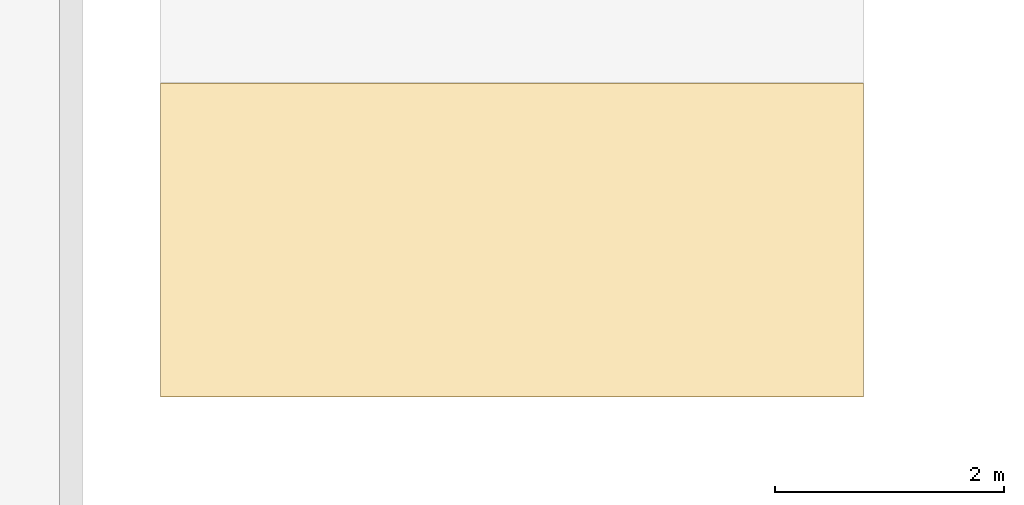
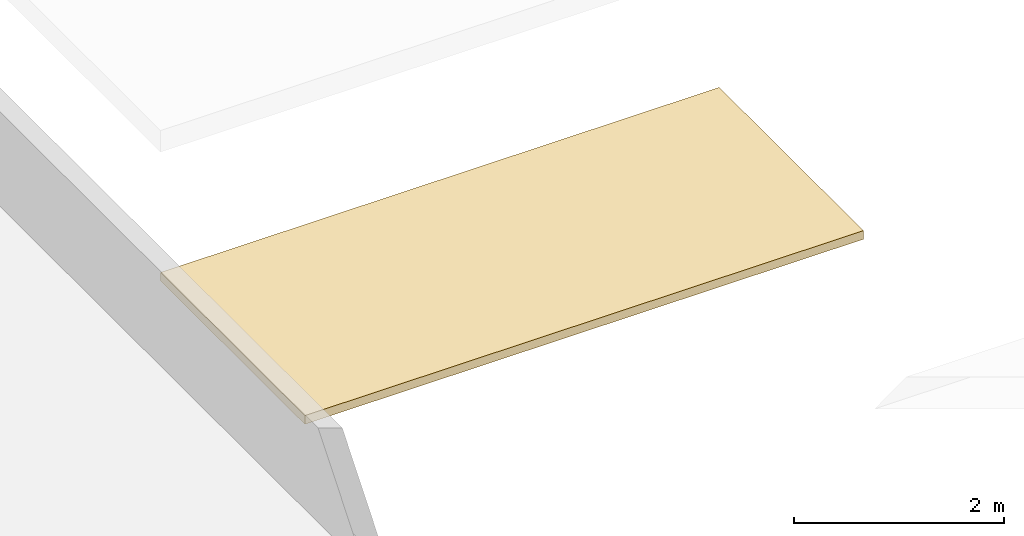
# One storey, part 2 of 2: 1 covering.
"""IFC4 building model written with IfcOpenShell, lengths in metres."""

import ifcopenshell
import ifcopenshell.guid

model = None  # the IFC model being written
_history = None  # IfcOwnerHistory: only IFC2X3 demands one
_inside = {}  # id of a spatial element -> (the spatial element, [elements in it])
_under = {}  # id of a project, library or spatial element -> (it, [spatial elements below it])
_declared = {}  # id of a project -> (the project, [libraries it declares])
_typed = {}  # id of a type object -> (the type object, [elements of that type])
_made_of = {}  # id of a material, layer set ... -> (it, [elements and type objects made of it])


def new_model(schema):
    """Start an empty IFC model of exactly this schema.

    Asked for "IFC4X3", IfcOpenShell would pick the latest addendum, in which some entities
    have other attributes; the version numbers below select the first issue.
    IFC2X3 requires an IfcOwnerHistory on every rooted entity: one is made here for all.
    """
    global model, _history
    if schema == "IFC4X3":
        model = ifcopenshell.file(schema_version=(4, 3, 0, 0))
    else:
        model = ifcopenshell.file(schema=schema)
    _inside.clear()
    _under.clear()
    _declared.clear()
    _typed.clear()
    _made_of.clear()
    _history = None
    if model.schema == "IFC2X3":
        org = make("IfcOrganization", Name="unknown")
        user = make(
            "IfcPersonAndOrganization",
            ThePerson=make("IfcPerson", FamilyName="unknown"),
            TheOrganization=org,
        )
        app = make(
            "IfcApplication",
            ApplicationDeveloper=org,
            Version="unknown",
            ApplicationFullName="unknown",
            ApplicationIdentifier="unknown",
        )
        _history = make(
            "IfcOwnerHistory",
            OwningUser=user,
            OwningApplication=app,
            ChangeAction="ADDED",
            CreationDate=0,
        )
    return model


def make(cls, **values):
    """One entity of the class cls with the attributes given. An attribute that is None is left unset."""
    return model.create_entity(
        cls, **{name: value for name, value in values.items() if value is not None}
    )


def rooted(cls, **values):
    """An entity with a GlobalId (a new one), such as an element, a storey or a relation."""
    return make(cls, GlobalId=ifcopenshell.guid.new(), OwnerHistory=_history, **values)


def si_unit(unit_type, name, prefix=None):
    """IfcSIUnit, for example si_unit("LENGTHUNIT", "METRE", prefix="MILLI")."""
    return make("IfcSIUnit", UnitType=unit_type, Prefix=prefix, Name=name)


def assignment(units):
    """IfcUnitAssignment: the units of a project."""
    return None if units is None else make("IfcUnitAssignment", Units=units)


def point(xyz):
    """IfcCartesianPoint."""
    return None if xyz is None else make("IfcCartesianPoint", Coordinates=xyz)


def direction(xyz):
    """IfcDirection."""
    return None if xyz is None else make("IfcDirection", DirectionRatios=xyz)


def frame(location, z_axis=None, x_axis=None):
    """IfcAxis2Placement3D, a coordinate frame: its origin and axes. An axis left out is left unset."""
    return make(
        "IfcAxis2Placement3D",
        Location=point(location),
        Axis=direction(z_axis),
        RefDirection=direction(x_axis),
    )


def frame_2d(location, x_axis=None):
    """IfcAxis2Placement2D, a coordinate frame in the plane: its origin and x axis."""
    return make(
        "IfcAxis2Placement2D", Location=point(location), RefDirection=direction(x_axis)
    )


def origin():
    """The frame at (0, 0, 0) with its axes left unset."""
    return frame((0.0, 0.0, 0.0))


def origin_2d():
    """The frame at (0, 0) in the plane with its x axis left unset."""
    return frame_2d((0.0, 0.0))


def place(relative_to, where):
    """IfcLocalPlacement: puts the frame where relative to a parent placement (None: the world)."""
    return make(
        "IfcLocalPlacement", PlacementRelTo=relative_to, RelativePlacement=where
    )


def context(
    kind, dimensions, precision=None, world=None, true_north=None, identifier=None
):
    """IfcGeometricRepresentationContext, for example the 3D "Model" context."""
    return make(
        "IfcGeometricRepresentationContext",
        ContextIdentifier=identifier,
        ContextType=kind,
        CoordinateSpaceDimension=dimensions,
        Precision=precision,
        WorldCoordinateSystem=world,
        TrueNorth=true_north,
    )


def subcontext(parent, identifier, kind, view, scale=None):
    """IfcGeometricRepresentationSubContext, for example "Body" below "Model"."""
    return make(
        "IfcGeometricRepresentationSubContext",
        ContextIdentifier=identifier,
        ContextType=kind,
        ParentContext=parent,
        TargetScale=scale,
        TargetView=view,
    )


def project(units=None, contexts=None):
    """IfcProject with its units and contexts."""
    return rooted(
        "IfcProject",
        Name="project",
        RepresentationContexts=contexts,
        UnitsInContext=assignment(units),
    )


def spatial(cls, under=None, at=None, **own):
    """A site, building, storey or space (cls), placed at a placement, below another one or the project."""
    s = rooted(cls, ObjectPlacement=at, **own)
    if under is not None:
        _under.setdefault(under.id(), (under, []))[1].append(s)
    return s


def profile(cls, at=None, kind="AREA", **sizes):
    """A parametric profile (cls). Its sizes go by their IFC names, for example OverallWidth=200.0."""
    return make(cls, ProfileType=kind, Position=at, **sizes)


def rectangle(**sizes):
    """IfcRectangleProfileDef."""
    return profile("IfcRectangleProfileDef", **sizes)


def extrude(swept, where, along, depth):
    """IfcExtrudedAreaSolid: the profile swept, set in the frame where, extruded along a direction by depth."""
    return make(
        "IfcExtrudedAreaSolid",
        SweptArea=swept,
        Position=where,
        ExtrudedDirection=direction(along),
        Depth=depth,
    )


def shape(context_of_items, identifier, shape_type, items):
    """IfcShapeRepresentation: the items that make up one representation, for example the "Body"."""
    return make(
        "IfcShapeRepresentation",
        ContextOfItems=context_of_items,
        RepresentationIdentifier=identifier,
        RepresentationType=shape_type,
        Items=items,
    )


def material(Name=None, Category=None):
    """IfcMaterial."""
    return make("IfcMaterial", Name=Name, Category=Category)


def layer(
    of_material, thickness, ventilated=None, Name=None, Category=None, Priority=None
):
    """IfcMaterialLayer: one layer of a wall or slab, of a material (None: an air gap)."""
    return make(
        "IfcMaterialLayer",
        Material=of_material,
        LayerThickness=thickness,
        IsVentilated=ventilated,
        Name=Name,
        Category=Category,
        Priority=Priority,
    )


def layer_set(layers, Name=None):
    """IfcMaterialLayerSet."""
    return make("IfcMaterialLayerSet", MaterialLayers=layers, LayerSetName=Name)


def made_of(thing, what):
    """Note that an element or type object is made of a material, layer set ...; save() writes the relation."""
    if what is not None:
        _made_of.setdefault(what.id(), (what, []))[1].append(thing)
    return thing


def type_object(cls, material=None, **own):
    """A type object (cls), such as IfcWallType, which elements share."""
    return made_of(rooted(cls, **own), material)


def element(
    cls,
    number,
    at=None,
    inside=None,
    cuts=None,
    type_object=None,
    material=None,
    context=None,
    identifier="Body",
    shape_type=None,
    held_by="IfcProductDefinitionShape",
    body=None,
    shapes=None,
    **own,
):
    """One element of the class cls, such as IfcWall. Its Tag is "e" and its number.

    at: its placement. inside: the storey or other place that contains it. cuts: it is an
    opening in that element (IfcRelVoidsElement). A single representation is given by context,
    identifier, shape_type and body (its items); several are given by shapes. held_by: the class
    of the entity that holds the representations. save() writes the other relations.
    """
    e = rooted(cls, Tag="e%d" % number, ObjectPlacement=at, **own)
    if body is not None:
        shapes = [shape(context, identifier, shape_type, body)]
    if shapes is not None:
        e.Representation = make(held_by, Representations=shapes)
    if inside is not None:
        _inside.setdefault(inside.id(), (inside, []))[1].append(e)
    if cuts is not None:
        rooted(
            "IfcRelVoidsElement", RelatingBuildingElement=cuts, RelatedOpeningElement=e
        )
    if type_object is not None:
        _typed.setdefault(type_object.id(), (type_object, []))[1].append(e)
    return made_of(e, material)


def aggregate(whole, parts):
    """IfcRelAggregates: a whole, such as a stair, and the parts it consists of."""
    return rooted("IfcRelAggregates", RelatingObject=whole, RelatedObjects=parts)


def save(model, path):
    """Write the relations noted so far, then the file.

    IfcRelAggregates (storeys below a building ...), IfcRelContainedInSpatialStructure (elements
    in a storey), IfcRelDefinesByType, IfcRelAssociatesMaterial and IfcRelDeclares: one each for
    every whole, place, type object, material and project.
    """
    for whole, parts in _under.values():
        aggregate(whole, parts)
    for where, things in _inside.values():
        rooted(
            "IfcRelContainedInSpatialStructure",
            RelatedElements=things,
            RelatingStructure=where,
        )
    for kind, things in _typed.values():
        rooted("IfcRelDefinesByType", RelatedObjects=things, RelatingType=kind)
    for what, things in _made_of.values():
        rooted("IfcRelAssociatesMaterial", RelatedObjects=things, RelatingMaterial=what)
    for by, libraries in _declared.values():
        rooted("IfcRelDeclares", RelatingContext=by, RelatedDefinitions=libraries)
    model.write(path)


model = new_model("IFC4")

# Units and contexts
model_context = context("Model", 3, precision=1e-05, world=origin(), true_north=direction((0.0, 1.0)))
body_context = subcontext(model_context, "Body", "Model", "MODEL_VIEW")
ifc_project = project(units=[si_unit("LENGTHUNIT", "METRE"), si_unit("AREAUNIT", "SQUARE_METRE"), si_unit("VOLUMEUNIT", "CUBIC_METRE"), si_unit("PLANEANGLEUNIT", "RADIAN"), si_unit("MASSUNIT", "GRAM", prefix="KILO")], contexts=[model_context])

# Site, building, storey
site_placement = place(None, origin())
site = spatial("IfcSite", under=ifc_project, at=site_placement, CompositionType="ELEMENT")
building_placement = place(site_placement, origin())
building = spatial("IfcBuilding", under=site, at=building_placement, Name="Guidao Yard Department Store", CompositionType="ELEMENT")
storey_placement = place(building_placement, frame((0.0, 0.0, 40.5)))
storey = spatial("IfcBuildingStorey", under=building, at=storey_placement, Name="ROOF", CompositionType="ELEMENT", Elevation=40.5)

# Covering
ifc_material = material(Name="Steel Q235", Category="steel")
ifc_layer = layer(ifc_material, 0.10009765625)
ifc_layer_set = layer_set([ifc_layer], Name="Lobby roofing panel insulated metal deck 100")
covering_type = type_object("IfcCoveringType", Name="Lobby roofing panel insulated metal deck 100", PredefinedType="ROOFING", material=ifc_layer_set)
covering_placement = place(storey_placement, frame((148.02490234375, 18.574951171875, 0.0), z_axis=(0.0, 0.0, 1.0), x_axis=(1.0, 0.0, 0.0)))
element("IfcCovering", 1, at=covering_placement, inside=storey, type_object=covering_type, Name="Roof lift lobby roofing OF1 to OF2", PredefinedType="ROOFING", context=body_context, shape_type="SweptSolid", body=[
    extrude(rectangle(XDim=6.14990234375, YDim=2.75, at=origin_2d()), origin(), (0.0, 0.0, 1.0), 0.10009765625),
])

save(model, "model.ifc")
